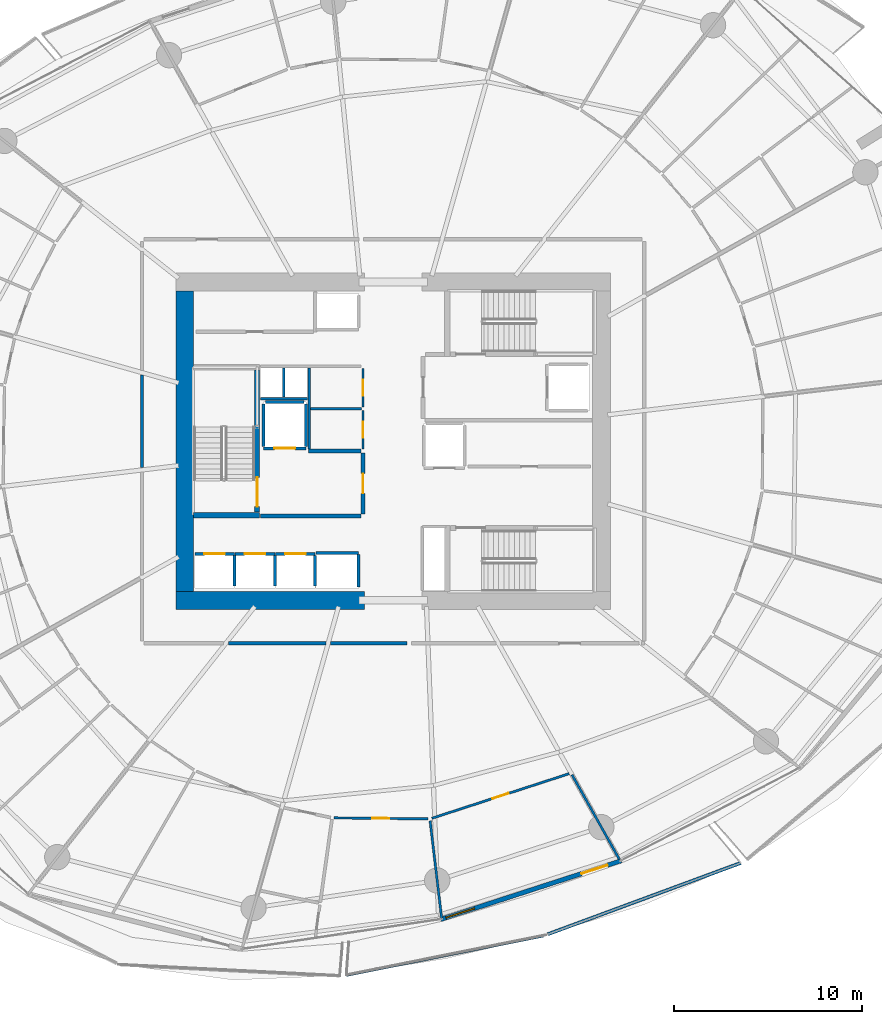
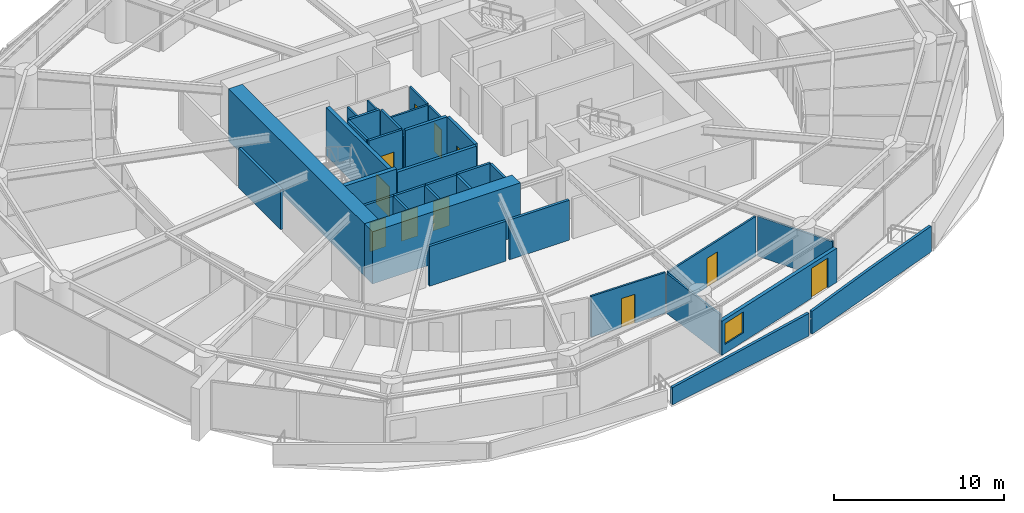
# One storey, part 20 of 31: 35 walls, 11 doors, 1 window, 12 openings.
"""IFC4 building model written with IfcOpenShell, lengths in metres."""

from ifc_helpers import new_model, si_unit, direction, frame, frame_2d, origin, place, context, subcontext, project, spatial, polyline, rectangle, outline, extrude, material, layer, layer_set, type_object, element, fill, save


model = new_model("IFC4")

# Units and contexts
model_context = context("Model", 3, precision=1e-05, world=origin(), true_north=direction((0.0, 1.0)))
body_context = subcontext(model_context, "Body", "Model", "MODEL_VIEW")
ifc_project = project(units=[si_unit("LENGTHUNIT", "METRE"), si_unit("AREAUNIT", "SQUARE_METRE"), si_unit("VOLUMEUNIT", "CUBIC_METRE"), si_unit("PLANEANGLEUNIT", "RADIAN"), si_unit("MASSUNIT", "GRAM", prefix="KILO")], contexts=[model_context])

# Site, building, storey
site_placement = place(None, origin())
site = spatial("IfcSite", under=ifc_project, at=site_placement, CompositionType="ELEMENT")
building_placement = place(site_placement, origin())
building = spatial("IfcBuilding", under=site, at=building_placement, Name="Kazma Halo Residences", CompositionType="ELEMENT")
storey_placement = place(building_placement, frame((0.0, 0.0, 37.64990234375)))
storey = spatial("IfcBuildingStorey", under=building, at=storey_placement, Name="L08", CompositionType="ELEMENT", Elevation=37.64990234375)

# Walls
ifc_material_1 = material(Name="White Concrete C50/60 Balustrade", Category="concrete")
ifc_layer_1 = layer(ifc_material_1, 0.179931640625)
ifc_layer_set_1 = layer_set([ifc_layer_1], Name="White Concrete C50/60 Balustrade")
wall_type_1 = type_object("IfcWallType", Name="WL-BAL-WAVE-180", PredefinedType="PARAPET", material=ifc_layer_set_1)
wall_1_placement = place(storey_placement, frame((45.93798828125, 13.580078125, 0.0), z_axis=(0.0, 0.0, 1.0), x_axis=(0.980527969077, 0.19637948431, 0.0)))
element("IfcWall", 1, at=wall_1_placement, inside=storey, type_object=wall_type_1, Name="L08 white wave balustrade wall SSE.1", PredefinedType="PARAPET", context=body_context, shape_type="SweptSolid", body=[
    extrude(outline(polyline([(0.0, 0.0), (10.696533203125, 0.0), (10.69677734375, 1.632080078125), (5.348388671875, 1.418212890625), (0.0, 1.233154296875), (0.0, 0.0)])), frame((0.0, 0.08984375, 0.0), z_axis=(0.0, -1.0, 0.0), x_axis=(1.0, 0.0, 0.0)), (0.0, 0.0, 1.0), 0.179931640625),
])
wall_2_placement = place(storey_placement, frame((56.656494140625, 15.745849609375, 0.0), z_axis=(0.0, 0.0, 1.0), x_axis=(0.938003942123, 0.346624587358, 0.0)))
element("IfcWall", 2, at=wall_2_placement, inside=storey, type_object=wall_type_1, Name="L08 white wave balustrade wall SSE.2", PredefinedType="PARAPET", context=body_context, shape_type="SweptSolid", body=[
    extrude(outline(polyline([(0.0, 0.0), (10.96435546875, 0.0), (10.96435546875, 1.860107421875), (5.482177734375, 1.798095703125), (0.0, 1.632080078125), (0.0, 0.0)])), frame((0.0, 0.08984375, 0.0), z_axis=(0.0, -1.0, 0.0), x_axis=(1.0, 0.0, 0.0)), (0.0, 0.0, 1.0), 0.179931640625),
])
ifc_material_2 = material(Name="Concrete C80/95", Category="concrete")
ifc_layer_2 = layer(ifc_material_2, 0.949951171875)
ifc_layer_set_2 = layer_set([ifc_layer_2], Name="Concrete C80/95")
wall_type_2 = type_object("IfcWallType", Name="WL-CORE-950", PredefinedType="SHEAR", material=ifc_layer_set_2)
wall_3_placement = place(storey_placement, frame((36.85009765625, 33.52490234375, 0.0), z_axis=(0.0, 0.0, 1.0), x_axis=(1.0, 0.0, 0.0)))
element("IfcWall", 3, at=wall_3_placement, inside=storey, type_object=wall_type_2, Name="L08 central core shear wall SW", PredefinedType="SHEAR", context=body_context, shape_type="SweptSolid", body=[
    extrude(rectangle(XDim=10.0498046875, YDim=0.949951171875, at=frame_2d((5.02490234375, 0.0))), origin(), (0.0, 0.0, 1.0), 3.75),
])
wall_4_placement = place(storey_placement, frame((37.324951171875, 34.0, 0.0), z_axis=(0.0, 0.0, 1.0), x_axis=(0.0, 1.0, 0.0)))
element("IfcWall", 4, at=wall_4_placement, inside=storey, type_object=wall_type_2, Name="L08 central core shear wall W", PredefinedType="SHEAR", context=body_context, shape_type="SweptSolid", body=[
    extrude(rectangle(XDim=16.0, YDim=0.949951171875, at=frame_2d((8.0, 0.0))), origin(), (0.0, 0.0, 1.0), 3.75),
])
ifc_material_3 = material(Name="Concrete C60/75", Category="concrete")
ifc_layer_3 = layer(ifc_material_3, 0.280029296875)
ifc_layer_set_3 = layer_set([ifc_layer_3], Name="Concrete C60/75")
wall_type_3 = type_object("IfcWallType", Name="WL-CORE-ST-280", PredefinedType="SHEAR", material=ifc_layer_set_3)
wall_5_placement = place(storey_placement, frame((37.800048828125, 38.06005859375, 0.0), z_axis=(0.0, 0.0, 1.0), x_axis=(1.0, 0.0, 0.0)))
element("IfcWall", 5, at=wall_5_placement, inside=storey, type_object=wall_type_3, Name="L08 stairwell bearing wall ST01-S", PredefinedType="SHEAR", context=body_context, shape_type="SweptSolid", body=[
    extrude(rectangle(XDim=3.5, YDim=0.280029296875, at=frame_2d((1.75, 0.0))), origin(), (0.0, 0.0, 1.0), 3.75),
])
ifc_material_4 = material(Name="Acoustic Twin-Stud Gypsum")
ifc_layer_4 = layer(ifc_material_4, 0.179931640625)
ifc_layer_set_4 = layer_set([ifc_layer_4], Name="Acoustic Twin-Stud Gypsum")
wall_type_4 = type_object("IfcWallType", Name="WL-DEM-180", PredefinedType="PARTITIONING", material=ifc_layer_set_4)
wall_6_placement = place(storey_placement, frame((35.050048828125, 45.5322265625, 0.0), z_axis=(0.0, 0.0, 1.0), x_axis=(0.0, -1.0, 0.0)))
element("IfcWall", 6, at=wall_6_placement, inside=storey, type_object=wall_type_4, Name="L08 Apartment 1 inner wall 6", PredefinedType="PARTITIONING", context=body_context, shape_type="SweptSolid", body=[
    extrude(rectangle(XDim=4.94482421875, YDim=0.179931640625, at=frame_2d((2.472412109375, 0.0))), origin(), (0.0, 0.0, 1.0), 2.8671875),
])
wall_7_placement = place(storey_placement, frame((39.6455078125, 31.25, 0.0), z_axis=(0.0, 0.0, 1.0), x_axis=(1.0, 0.0, 0.0)))
element("IfcWall", 7, at=wall_7_placement, inside=storey, type_object=wall_type_4, Name="L08 Apartment 2 inner wall 9", PredefinedType="PARTITIONING", context=body_context, shape_type="SweptSolid", body=[
    extrude(rectangle(XDim=5.20263671875, YDim=0.179931640625, at=frame_2d((2.601318359375, 0.0))), origin(), (0.0, 0.0, 1.0), 2.8671875),
])
wall_8_placement = place(storey_placement, frame((45.088134765625, 31.25, 0.0), z_axis=(0.0, 0.0, 1.0), x_axis=(1.0, 0.0, 0.0)))
element("IfcWall", 8, at=wall_8_placement, inside=storey, type_object=wall_type_4, Name="L08 Apartment 2 inner wall 10", PredefinedType="PARTITIONING", context=body_context, shape_type="SweptSolid", body=[
    extrude(rectangle(XDim=4.064208984375, YDim=0.179931640625, at=frame_2d((2.0322265625, 0.0))), origin(), (0.0, 0.0, 1.0), 2.8671875),
])

# Wall, openings, door, window
ifc_material_5 = material(Name="Insulated Pale-Metal Composite Wall")
ifc_layer_5 = layer(ifc_material_5, 0.239990234375)
ifc_layer_set_5 = layer_set([ifc_layer_5], Name="Insulated Pale-Metal Composite Wall")
wall_type_5 = type_object("IfcWallType", Name="WL-EXT-HOST-240", PredefinedType="SOLIDWALL", material=ifc_layer_set_5)
wall_9_placement = place(storey_placement, frame((50.9638671875, 16.54150390625, 0.0), z_axis=(0.0, 0.0, 1.0), x_axis=(0.951054679225, 0.309022648238, 0.0)))
wall_9 = element("IfcWall", 9, at=wall_9_placement, inside=storey, type_object=wall_type_5, Name="L08 exterior terrace-access wall B12", PredefinedType="SOLIDWALL", context=body_context, shape_type="SweptSolid", body=[
    extrude(rectangle(XDim=10.0966796875, YDim=0.239990234375, at=frame_2d((5.04833984375, 0.0))), origin(), (0.0, 0.0, 1.0), 2.4501953125),
])
opening_1_placement = place(wall_9_placement, frame((7.876708984375, 0.0, 0.0)))
opening_1 = element("IfcOpeningElement", 10, at=opening_1_placement, cuts=wall_9, Name="Opening DTR-1600", PredefinedType="OPENING", context=body_context, shape_type="SweptSolid", body=[
    extrude(rectangle(XDim=1.449951171875, YDim=2.14990234375, at=frame_2d((0.72509765625, 1.074951171875))), frame((0.0, 0.1298828125, 0.0), z_axis=(0.0, -1.0, 0.0), x_axis=(1.0, 0.0, 0.0)), (0.0, 0.0, 1.0), 0.260009765625),
])
opening_2_placement = place(wall_9_placement, frame((0.280029296875, 0.0, 0.64990234375)))
opening_2 = element("IfcOpeningElement", 11, at=opening_2_placement, cuts=wall_9, Name="Opening W-1800", PredefinedType="OPENING", context=body_context, shape_type="SweptSolid", body=[
    extrude(rectangle(XDim=1.60009765625, YDim=1.5, at=frame_2d((0.800048828125, 0.75))), frame((0.0, 0.1298828125, 0.0), z_axis=(0.0, -1.0, 0.0), x_axis=(1.0, 0.0, 0.0)), (0.0, 0.0, 1.0), 0.260009765625),
])
ifc_material_6 = material(Name="Aluminium AW-6063 T6 Double-Glazed Terrace Door", Category="aluminium")
door_type_1 = type_object("IfcDoorType", Name="DR-EXT-TERR-1600", OperationType="NOTDEFINED", PredefinedType="DOOR", material=ifc_material_6)
door_1_placement = place(opening_1_placement, origin())
door_1 = element("IfcDoor", 12, at=door_1_placement, inside=storey, type_object=door_type_1, Name="L08 B12 balcony terrace door", OperationType="DOUBLE_DOOR_SLIDING", OverallHeight=2.14990234375, OverallWidth=1.449951171875, PredefinedType="DOOR", context=body_context, shape_type="SweptSolid", body=[
    extrude(rectangle(XDim=1.449951171875, YDim=2.14990234375, at=frame_2d((0.72509765625, 1.074951171875))), frame((0.0, 0.02490234375, 0.0), z_axis=(0.0, -1.0, 0.0), x_axis=(1.0, 0.0, 0.0)), (0.0, 0.0, 1.0), 0.050048828125),
])
fill(opening_1, door_1)
ifc_material_7 = material(Name="Clear Triple-Silver Low-E Glass in Aluminium AW-6063 T6 Frame", Category="aluminium")
window_type = type_object("IfcWindowType", Name="WIN-RES-1800", PartitioningType="DOUBLE_PANEL_VERTICAL", PredefinedType="WINDOW", material=ifc_material_7)
window_placement = place(opening_2_placement, origin())
window = element("IfcWindow", 13, at=window_placement, inside=storey, type_object=window_type, Name="L08 B12 apartment window", OverallHeight=1.5, OverallWidth=1.60009765625, PartitioningType="SINGLE_PANEL", PredefinedType="WINDOW", context=body_context, shape_type="SweptSolid", body=[
    extrude(rectangle(XDim=1.60009765625, YDim=1.5, at=frame_2d((0.800048828125, 0.75))), frame((0.0, 0.030029296875, 0.0), z_axis=(0.0, -1.0, 0.0), x_axis=(1.0, 0.0, 0.0)), (0.0, 0.0, 1.0), 0.06005859375),
])
fill(opening_2, window)

# Wall, opening, door
ifc_material_8 = material(Name="Fire-Rated Blockwork Masonry", Category="masonry")
ifc_layer_6 = layer(ifc_material_8, 0.199951171875)
ifc_layer_set_6 = layer_set([ifc_layer_6], Name="Fire-Rated Blockwork Masonry")
wall_type_6 = type_object("IfcWallType", Name="WL-FLB-200", PredefinedType="PARTITIONING", material=ifc_layer_set_6)
wall_10_placement = place(storey_placement, frame((37.864990234375, 36.0048828125, 0.0), z_axis=(0.0, 0.0, 1.0), x_axis=(1.0, 0.0, 0.0)))
wall_10 = element("IfcWall", 14, at=wall_10_placement, inside=storey, type_object=wall_type_6, Name="L08 lift shaft PL-01 front wall", PredefinedType="PARTITIONING", context=body_context, shape_type="SweptSolid", body=[
    extrude(rectangle(XDim=2.110107421875, YDim=0.159912109375, at=frame_2d((1.05517578125, 0.0))), origin(), (0.0, 0.0, 1.0), 3.5),
])
opening_3_placement = place(wall_10_placement, frame((0.5048828125, 0.0, 0.0)))
opening_3 = element("IfcOpeningElement", 15, at=opening_3_placement, cuts=wall_10, Name="Opening LD-PL-01", PredefinedType="OPENING", context=body_context, shape_type="SweptSolid", body=[
    extrude(rectangle(XDim=1.10009765625, YDim=2.10009765625, at=frame_2d((0.550048828125, 1.050048828125))), frame((0.0, 0.08984375, 0.0), z_axis=(0.0, -1.0, 0.0), x_axis=(1.0, 0.0, 0.0)), (0.0, 0.0, 1.0), 0.179931640625),
])
ifc_material_9 = material(Name="Stainless Steel Fire-Rated", Category="steel")
door_type_2 = type_object("IfcDoorType", Name="DR-LIFT-SLD-1100", OperationType="DOUBLE_DOOR_SLIDING", PredefinedType="DOOR", material=ifc_material_9)
door_2_placement = place(opening_3_placement, origin())
door_2 = element("IfcDoor", 16, at=door_2_placement, inside=storey, type_object=door_type_2, Name="L08 lift PL-01 sliding landing door", OperationType="DOUBLE_DOOR_SLIDING", OverallHeight=2.10009765625, OverallWidth=1.10009765625, PredefinedType="DOOR", context=body_context, shape_type="SweptSolid", body=[
    extrude(rectangle(XDim=1.10009765625, YDim=2.10009765625, at=frame_2d((0.550048828125, 1.050048828125))), frame((0.0, 0.02490234375, 0.0), z_axis=(0.0, -1.0, 0.0), x_axis=(1.0, 0.0, 0.0)), (0.0, 0.0, 1.0), 0.050048828125),
])
fill(opening_3, door_2)

# Wall
wall_11_placement = place(storey_placement, frame((39.97509765625, 34.294921875, 0.0), z_axis=(0.0, 0.0, 1.0), x_axis=(0.0, 1.0, 0.0)))
element("IfcWall", 17, at=wall_11_placement, inside=storey, type_object=wall_type_6, Name="L08 lift shaft PL-01 side wall E", PredefinedType="PARTITIONING", context=body_context, shape_type="SweptSolid", body=[
    extrude(rectangle(XDim=1.610107421875, YDim=0.159912109375, at=frame_2d((0.80517578125, 0.0))), origin(), (0.0, 0.0, 1.0), 3.5),
])

# Wall, opening, door
wall_12_placement = place(storey_placement, frame((40.014892578125, 36.0048828125, 0.0), z_axis=(0.0, 0.0, 1.0), x_axis=(1.0, 0.0, 0.0)))
wall_12 = element("IfcWall", 18, at=wall_12_placement, inside=storey, type_object=wall_type_6, Name="L08 lift shaft PL-02 front wall", PredefinedType="PARTITIONING", context=body_context, shape_type="SweptSolid", body=[
    extrude(rectangle(XDim=2.110107421875, YDim=0.159912109375, at=frame_2d((1.05517578125, 0.0))), origin(), (0.0, 0.0, 1.0), 3.5),
])
opening_4_placement = place(wall_12_placement, frame((0.5048828125, 0.0, 0.0)))
opening_4 = element("IfcOpeningElement", 19, at=opening_4_placement, cuts=wall_12, Name="Opening LD-PL-02", PredefinedType="OPENING", context=body_context, shape_type="SweptSolid", body=[
    extrude(rectangle(XDim=1.10009765625, YDim=2.10009765625, at=frame_2d((0.550048828125, 1.050048828125))), frame((0.0, 0.08984375, 0.0), z_axis=(0.0, -1.0, 0.0), x_axis=(1.0, 0.0, 0.0)), (0.0, 0.0, 1.0), 0.179931640625),
])
door_3_placement = place(opening_4_placement, origin())
door_3 = element("IfcDoor", 20, at=door_3_placement, inside=storey, type_object=door_type_2, Name="L08 lift PL-02 sliding landing door", OperationType="DOUBLE_DOOR_SLIDING", OverallHeight=2.10009765625, OverallWidth=1.10009765625, PredefinedType="DOOR", context=body_context, shape_type="SweptSolid", body=[
    extrude(rectangle(XDim=1.10009765625, YDim=2.10009765625, at=frame_2d((0.550048828125, 1.050048828125))), frame((0.0, 0.02490234375, 0.0), z_axis=(0.0, -1.0, 0.0), x_axis=(1.0, 0.0, 0.0)), (0.0, 0.0, 1.0), 0.050048828125),
])
fill(opening_4, door_3)

# Wall
wall_13_placement = place(storey_placement, frame((42.125, 34.294921875, 0.0), z_axis=(0.0, 0.0, 1.0), x_axis=(0.0, 1.0, 0.0)))
element("IfcWall", 21, at=wall_13_placement, inside=storey, type_object=wall_type_6, Name="L08 lift shaft PL-02 side wall E", PredefinedType="PARTITIONING", context=body_context, shape_type="SweptSolid", body=[
    extrude(rectangle(XDim=1.610107421875, YDim=0.159912109375, at=frame_2d((0.80517578125, 0.0))), origin(), (0.0, 0.0, 1.0), 3.5),
])

# Wall, opening, door
wall_14_placement = place(storey_placement, frame((42.1650390625, 36.0048828125, 0.0), z_axis=(0.0, 0.0, 1.0), x_axis=(1.0, 0.0, 0.0)))
wall_14 = element("IfcWall", 22, at=wall_14_placement, inside=storey, type_object=wall_type_6, Name="L08 lift shaft PL-03 front wall", PredefinedType="PARTITIONING", context=body_context, shape_type="SweptSolid", body=[
    extrude(rectangle(XDim=2.10986328125, YDim=0.159912109375, at=frame_2d((1.054931640625, 0.0))), origin(), (0.0, 0.0, 1.0), 3.5),
])
opening_5_placement = place(wall_14_placement, frame((0.5048828125, 0.0, 0.0)))
opening_5 = element("IfcOpeningElement", 23, at=opening_5_placement, cuts=wall_14, Name="Opening LD-PL-03", PredefinedType="OPENING", context=body_context, shape_type="SweptSolid", body=[
    extrude(rectangle(XDim=1.10009765625, YDim=2.10009765625, at=frame_2d((0.550048828125, 1.050048828125))), frame((0.0, 0.08984375, 0.0), z_axis=(0.0, -1.0, 0.0), x_axis=(1.0, 0.0, 0.0)), (0.0, 0.0, 1.0), 0.179931640625),
])
door_4_placement = place(opening_5_placement, origin())
door_4 = element("IfcDoor", 24, at=door_4_placement, inside=storey, type_object=door_type_2, Name="L08 lift PL-03 sliding landing door", OperationType="DOUBLE_DOOR_SLIDING", OverallHeight=2.10009765625, OverallWidth=1.10009765625, PredefinedType="DOOR", context=body_context, shape_type="SweptSolid", body=[
    extrude(rectangle(XDim=1.10009765625, YDim=2.10009765625, at=frame_2d((0.550048828125, 1.050048828125))), frame((0.0, 0.02490234375, 0.0), z_axis=(0.0, -1.0, 0.0), x_axis=(1.0, 0.0, 0.0)), (0.0, 0.0, 1.0), 0.050048828125),
])
fill(opening_5, door_4)

# Walls
wall_15_placement = place(storey_placement, frame((44.27490234375, 34.294921875, 0.0), z_axis=(0.0, 0.0, 1.0), x_axis=(0.0, 1.0, 0.0)))
element("IfcWall", 25, at=wall_15_placement, inside=storey, type_object=wall_type_6, Name="L08 lift shaft PL-03 side wall E", PredefinedType="PARTITIONING", context=body_context, shape_type="SweptSolid", body=[
    extrude(rectangle(XDim=1.610107421875, YDim=0.159912109375, at=frame_2d((0.80517578125, 0.0))), origin(), (0.0, 0.0, 1.0), 3.5),
])
wall_16_placement = place(storey_placement, frame((44.320068359375, 36.054931640625, 0.0), z_axis=(0.0, 0.0, 1.0), x_axis=(1.0, 0.0, 0.0)))
element("IfcWall", 26, at=wall_16_placement, inside=storey, type_object=wall_type_6, Name="L08 lift shaft PX-02 front wall", PredefinedType="PARTITIONING", context=body_context, shape_type="SweptSolid", body=[
    extrude(rectangle(XDim=2.260009765625, YDim=0.159912109375, at=frame_2d((1.1298828125, 0.0))), origin(), (0.0, 0.0, 1.0), 3.5),
])
wall_17_placement = place(storey_placement, frame((46.580078125, 34.2451171875, 0.0), z_axis=(0.0, 0.0, 1.0), x_axis=(0.0, 1.0, 0.0)))
element("IfcWall", 27, at=wall_17_placement, inside=storey, type_object=wall_type_6, Name="L08 lift shaft PX-02 side wall E", PredefinedType="PARTITIONING", context=body_context, shape_type="SweptSolid", body=[
    extrude(rectangle(XDim=1.7099609375, YDim=0.159912109375, at=frame_2d((0.85498046875, 0.0))), origin(), (0.0, 0.0, 1.0), 3.5),
])

# Wall, opening, door
wall_18_placement = place(storey_placement, frame((43.780029296875, 41.6201171875, 0.0), z_axis=(0.0, 0.0, 1.0), x_axis=(-1.0, 0.0, 0.0)))
wall_18 = element("IfcWall", 28, at=wall_18_placement, inside=storey, type_object=wall_type_6, Name="L08 lift shaft FL-01 front wall", PredefinedType="PARTITIONING", context=body_context, shape_type="SweptSolid", body=[
    extrude(rectangle(XDim=2.260009765625, YDim=0.159912109375, at=frame_2d((1.1298828125, 0.0))), origin(), (0.0, 0.0, 1.0), 3.5),
])
opening_6_placement = place(wall_18_placement, frame((0.580078125, 0.0, 0.0)))
opening_6 = element("IfcOpeningElement", 29, at=opening_6_placement, cuts=wall_18, Name="Opening LD-FL-01", PredefinedType="OPENING", context=body_context, shape_type="SweptSolid", body=[
    extrude(rectangle(XDim=1.10009765625, YDim=2.10009765625, at=frame_2d((0.550048828125, 1.050048828125))), frame((0.0, 0.08984375, 0.0), z_axis=(0.0, -1.0, 0.0), x_axis=(1.0, 0.0, 0.0)), (0.0, 0.0, 1.0), 0.179931640625),
])
door_5_placement = place(opening_6_placement, origin())
door_5 = element("IfcDoor", 30, at=door_5_placement, inside=storey, type_object=door_type_2, Name="L08 lift FL-01 sliding landing door", OperationType="DOUBLE_DOOR_SLIDING", OverallHeight=2.10009765625, OverallWidth=1.10009765625, PredefinedType="DOOR", context=body_context, shape_type="SweptSolid", body=[
    extrude(rectangle(XDim=1.10009765625, YDim=2.10009765625, at=frame_2d((0.550048828125, 1.050048828125))), frame((0.0, 0.02490234375, 0.0), z_axis=(0.0, -1.0, 0.0), x_axis=(1.0, 0.0, 0.0)), (0.0, 0.0, 1.0), 0.050048828125),
])
fill(opening_6, door_5)

# Walls
for number, where, z_axis, x_axis, name in (
    (31, (43.780029296875, 41.719970703125, 0.0), (0.0, 0.0, 1.0), (0.0, 1.0, 0.0), "L08 lift shaft FL-01 side wall E"),
    (32, (41.52001953125, 41.719970703125, 0.0), (0.0, 0.0, 1.0), (0.0, 1.0, 0.0), "L08 lift shaft FL-01 side wall W"),
):
    element("IfcWall", number, at=place(storey_placement, frame(where, z_axis=z_axis, x_axis=x_axis)), inside=storey, type_object=wall_type_6, Name=name, PredefinedType="PARTITIONING", context=body_context, shape_type="SweptSolid", body=[
        extrude(rectangle(XDim=2.260009765625, YDim=0.159912109375, at=frame_2d((1.1298828125, 0.0))), origin(), (0.0, 0.0, 1.0), 3.5),
    ])
wall_19_placement = place(storey_placement, frame((41.6201171875, 44.080078125, 0.0), z_axis=(0.0, 0.0, 1.0), x_axis=(1.0, 0.0, 0.0)))
element("IfcWall", 33, at=wall_19_placement, inside=storey, type_object=wall_type_6, Name="L08 lift shaft FL-01 side wall N", PredefinedType="PARTITIONING", context=body_context, shape_type="SweptSolid", body=[
    extrude(rectangle(XDim=2.059814453125, YDim=0.159912109375, at=frame_2d((1.02978515625, 0.0))), origin(), (0.0, 0.0, 1.0), 3.5),
])
wall_20_placement = place(storey_placement, frame((41.35009765625, 38.02001953125, 0.0), z_axis=(0.0, 0.0, 1.0), x_axis=(1.0, 0.0, 0.0)))
element("IfcWall", 34, at=wall_20_placement, inside=storey, type_object=wall_type_6, Name="L08 west firefighting lobby south smoke wall", PredefinedType="PARTITIONING", context=body_context, shape_type="SweptSolid", body=[
    extrude(rectangle(XDim=5.369873046875, YDim=0.199951171875, at=frame_2d((2.68505859375, 0.0))), origin(), (0.0, 0.0, 1.0), 3.5),
])
wall_21_placement = place(storey_placement, frame((43.919921875, 41.47998046875, 0.0), z_axis=(0.0, 0.0, 1.0), x_axis=(1.0, 0.0, 0.0)))
element("IfcWall", 35, at=wall_21_placement, inside=storey, type_object=wall_type_6, Name="L08 west firefighting lobby north smoke wall", PredefinedType="PARTITIONING", context=body_context, shape_type="SweptSolid", body=[
    extrude(rectangle(XDim=2.800048828125, YDim=0.199951171875, at=frame_2d((1.39990234375, 0.0))), origin(), (0.0, 0.0, 1.0), 3.5),
])

# Wall, opening, door
wall_22_placement = place(storey_placement, frame((46.820068359375, 38.1201171875, 0.0), z_axis=(0.0, 0.0, 1.0), x_axis=(0.0, 1.0, 0.0)))
wall_22 = element("IfcWall", 36, at=wall_22_placement, inside=storey, type_object=wall_type_6, Name="L08 west firefighting lobby smoke wall", PredefinedType="PARTITIONING", context=body_context, shape_type="SweptSolid", body=[
    extrude(rectangle(XDim=3.259765625, YDim=0.199951171875, at=frame_2d((1.6298828125, 0.0))), origin(), (0.0, 0.0, 1.0), 3.5),
])
opening_7_placement = place(wall_22_placement, frame((1.10498046875, 0.0, 0.0)))
opening_7 = element("IfcOpeningElement", 37, at=opening_7_placement, cuts=wall_22, Name="Opening D-FLW", PredefinedType="OPENING", context=body_context, shape_type="SweptSolid", body=[
    extrude(rectangle(XDim=1.050048828125, YDim=2.10009765625, at=frame_2d((0.52490234375, 1.050048828125))), frame((0.0, 0.10986328125, 0.0), z_axis=(0.0, -1.0, 0.0), x_axis=(1.0, 0.0, 0.0)), (0.0, 0.0, 1.0), 0.219970703125),
])
ifc_material_10 = material(Name="Fire-Rated Steel Leaf", Category="steel")
door_type_3 = type_object("IfcDoorType", Name="DR-FD90-1050", OperationType="NOTDEFINED", PredefinedType="DOOR", material=ifc_material_10)
door_6_placement = place(opening_7_placement, origin())
door_6 = element("IfcDoor", 38, at=door_6_placement, inside=storey, type_object=door_type_3, Name="L08 west firefighting lobby smoke door", OperationType="SINGLE_SWING_LEFT", OverallHeight=2.10009765625, OverallWidth=1.050048828125, PredefinedType="DOOR", context=body_context, shape_type="SweptSolid", body=[
    extrude(rectangle(XDim=1.050048828125, YDim=2.10009765625, at=frame_2d((0.52490234375, 1.050048828125))), frame((0.0, 0.02490234375, 0.0), z_axis=(0.0, -1.0, 0.0), x_axis=(1.0, 0.0, 0.0)), (0.0, 0.0, 1.0), 0.050048828125),
])
fill(opening_7, door_6)

# Walls
ifc_material_11 = material(Name="Gypsum Plasterboard Partition")
ifc_layer_7 = layer(ifc_material_11, 0.125)
ifc_layer_set_7 = layer_set([ifc_layer_7], Name="Gypsum Plasterboard Partition")
wall_type_7 = type_object("IfcWallType", Name="WL-PART-125", PredefinedType="PARTITIONING", material=ifc_layer_set_7)
wall_23_placement = place(storey_placement, frame((41.360107421875, 44.260009765625, 0.0), z_axis=(0.0, 0.0, 1.0), x_axis=(1.0, 0.0, 0.0)))
element("IfcWall", 39, at=wall_23_placement, inside=storey, type_object=wall_type_7, Name="L08 core riser south wall", PredefinedType="PARTITIONING", context=body_context, shape_type="SweptSolid", body=[
    extrude(rectangle(XDim=2.5, YDim=0.125, at=frame_2d((1.25, 0.0))), origin(), (0.0, 0.0, 1.0), 2.940185546875),
])
wall_24_placement = place(storey_placement, frame((42.60009765625, 44.35009765625, 0.0), z_axis=(0.0, 0.0, 1.0), x_axis=(0.0, 1.0, 0.0)))
element("IfcWall", 40, at=wall_24_placement, inside=storey, type_object=wall_type_7, Name="L08 core riser divider wall", PredefinedType="PARTITIONING", context=body_context, shape_type="SweptSolid", body=[
    extrude(rectangle(XDim=1.5498046875, YDim=0.125, at=frame_2d((0.77490234375, 0.0))), origin(), (0.0, 0.0, 1.0), 2.940185546875),
])
wall_25_placement = place(storey_placement, frame((43.949951171875, 41.580078125, 0.0), z_axis=(0.0, 0.0, 1.0), x_axis=(0.0, 1.0, 0.0)))
element("IfcWall", 41, at=wall_25_placement, inside=storey, type_object=wall_type_7, Name="L08 core service west wall", PredefinedType="PARTITIONING", context=body_context, shape_type="SweptSolid", body=[
    extrude(rectangle(XDim=4.31982421875, YDim=0.125, at=frame_2d((2.159912109375, 0.0))), origin(), (0.0, 0.0, 1.0), 2.940185546875),
])
wall_26_placement = place(storey_placement, frame((44.030029296875, 43.72998046875, 0.0), z_axis=(0.0, 0.0, 1.0), x_axis=(1.0, 0.0, 0.0)))
element("IfcWall", 42, at=wall_26_placement, inside=storey, type_object=wall_type_7, Name="L08 switch/IDF divider", PredefinedType="PARTITIONING", context=body_context, shape_type="SweptSolid", body=[
    extrude(rectangle(XDim=2.7099609375, YDim=0.125, at=frame_2d((1.35498046875, 0.0))), origin(), (0.0, 0.0, 1.0), 2.940185546875),
])

# Wall, opening, door
wall_27_placement = place(storey_placement, frame((46.820068359375, 41.580078125, 0.0), z_axis=(0.0, 0.0, 1.0), x_axis=(0.0, 1.0, 0.0)))
wall_27 = element("IfcWall", 43, at=wall_27_placement, inside=storey, type_object=wall_type_7, Name="L08 electrical switch room east wall", PredefinedType="PARTITIONING", context=body_context, shape_type="SweptSolid", body=[
    extrude(rectangle(XDim=2.0498046875, YDim=0.125, at=frame_2d((1.02490234375, 0.0))), origin(), (0.0, 0.0, 1.0), 2.940185546875),
])
opening_8_placement = place(wall_27_placement, frame((0.60009765625, 0.0, 0.0)))
opening_8 = element("IfcOpeningElement", 44, at=opening_8_placement, cuts=wall_27, Name="Opening DS-850", PredefinedType="OPENING", context=body_context, shape_type="SweptSolid", body=[
    extrude(rectangle(XDim=0.85009765625, YDim=2.06005859375, at=frame_2d((0.425048828125, 1.030029296875))), frame((0.0, 0.072509765625, 0.0), z_axis=(0.0, -1.0, 0.0), x_axis=(1.0, 0.0, 0.0)), (0.0, 0.0, 1.0), 0.14501953125),
])
ifc_material_12 = material(Name="Painted Steel Access Leaf", Category="steel")
door_type_4 = type_object("IfcDoorType", Name="DR-SVC-850", OperationType="NOTDEFINED", PredefinedType="DOOR", material=ifc_material_12)
door_7_placement = place(opening_8_placement, origin())
door_7 = element("IfcDoor", 45, at=door_7_placement, inside=storey, type_object=door_type_4, Name="L08 electrical switch room door", OperationType="SINGLE_SWING_LEFT", OverallHeight=2.06005859375, OverallWidth=0.85009765625, PredefinedType="DOOR", context=body_context, shape_type="SweptSolid", body=[
    extrude(rectangle(XDim=0.85009765625, YDim=2.06005859375, at=frame_2d((0.425048828125, 1.030029296875))), frame((0.0, 0.02490234375, 0.0), z_axis=(0.0, -1.0, 0.0), x_axis=(1.0, 0.0, 0.0)), (0.0, 0.0, 1.0), 0.050048828125),
])
fill(opening_8, door_7)

wall_28_placement = place(storey_placement, frame((46.820068359375, 43.830078125, 0.0), z_axis=(0.0, 0.0, 1.0), x_axis=(0.0, 1.0, 0.0)))
wall_28 = element("IfcWall", 46, at=wall_28_placement, inside=storey, type_object=wall_type_7, Name="L08 telecom IDF room east wall", PredefinedType="PARTITIONING", context=body_context, shape_type="SweptSolid", body=[
    extrude(rectangle(XDim=2.0498046875, YDim=0.125, at=frame_2d((1.02490234375, 0.0))), origin(), (0.0, 0.0, 1.0), 2.940185546875),
])
opening_9_placement = place(wall_28_placement, frame((0.60009765625, 0.0, 0.0)))
opening_9 = element("IfcOpeningElement", 47, at=opening_9_placement, cuts=wall_28, Name="Opening DS-850", PredefinedType="OPENING", context=body_context, shape_type="SweptSolid", body=[
    extrude(rectangle(XDim=0.85009765625, YDim=2.06005859375, at=frame_2d((0.425048828125, 1.030029296875))), frame((0.0, 0.072509765625, 0.0), z_axis=(0.0, -1.0, 0.0), x_axis=(1.0, 0.0, 0.0)), (0.0, 0.0, 1.0), 0.14501953125),
])
door_8_placement = place(opening_9_placement, origin())
door_8 = element("IfcDoor", 48, at=door_8_placement, inside=storey, type_object=door_type_4, Name="L08 telecom IDF room door", OperationType="SINGLE_SWING_RIGHT", OverallHeight=2.06005859375, OverallWidth=0.85009765625, PredefinedType="DOOR", context=body_context, shape_type="SweptSolid", body=[
    extrude(rectangle(XDim=0.85009765625, YDim=2.06005859375, at=frame_2d((0.425048828125, 1.030029296875))), frame((0.0, 0.02490234375, 0.0), z_axis=(0.0, -1.0, 0.0), x_axis=(1.0, 0.0, 0.0)), (0.0, 0.0, 1.0), 0.050048828125),
])
fill(opening_9, door_8)

wall_29_placement = place(storey_placement, frame((45.267822265625, 21.943603515625, 0.0), z_axis=(0.0, 0.0, 1.0), x_axis=(0.999939426187, -0.011006541512, 0.0)))
wall_29 = element("IfcWall", 49, at=wall_29_placement, inside=storey, type_object=wall_type_7, Name="L08 Apartment 2 Inner Master Bedroom hall wall", PredefinedType="PARTITIONING", context=body_context, shape_type="SweptSolid", body=[
    extrude(rectangle(XDim=5.012939453125, YDim=0.125, at=frame_2d((2.50634765625, 0.0))), origin(), (0.0, 0.0, 1.0), 2.940185546875),
])
opening_10_placement = place(wall_29_placement, frame((2.056396484375, 0.0, 0.0)))
opening_10 = element("IfcOpeningElement", 50, at=opening_10_placement, cuts=wall_29, Name="Opening DI-950", PredefinedType="OPENING", context=body_context, shape_type="SweptSolid", body=[
    extrude(rectangle(XDim=0.89990234375, YDim=2.080078125, at=frame_2d((0.449951171875, 1.0400390625))), frame((0.0, 0.072509765625, 0.0), z_axis=(0.0, -1.0, 0.0), x_axis=(1.0, 0.0, 0.0)), (0.0, 0.0, 1.0), 0.14501953125),
])
ifc_material_13 = material(Name="Timber Veneer Flush Leaf", Category="wood")
door_type_5 = type_object("IfcDoorType", Name="DR-INT-950", OperationType="NOTDEFINED", PredefinedType="DOOR", material=ifc_material_13)
door_9_placement = place(opening_10_placement, origin())
door_9 = element("IfcDoor", 51, at=door_9_placement, inside=storey, type_object=door_type_5, Name="L08 Apartment 2 Inner Master Bedroom door", OperationType="SINGLE_SWING_LEFT", OverallHeight=2.080078125, OverallWidth=0.89990234375, PredefinedType="DOOR", context=body_context, shape_type="SweptSolid", body=[
    extrude(rectangle(XDim=0.89990234375, YDim=2.080078125, at=frame_2d((0.449951171875, 1.0400390625))), frame((0.0, 0.02490234375, 0.0), z_axis=(0.0, -1.0, 0.0), x_axis=(1.0, 0.0, 0.0)), (0.0, 0.0, 1.0), 0.050048828125),
])
fill(opening_10, door_9)

# Walls
wall_30_placement = place(storey_placement, frame((50.392333984375, 21.7880859375, 0.0), z_axis=(0.0, 0.0, 1.0), x_axis=(0.11749238711, -0.993073783246, 0.0)))
element("IfcWall", 52, at=wall_30_placement, inside=storey, type_object=wall_type_7, Name="L08 Apartment 2 radial partition 11", PredefinedType="PARTITIONING", context=body_context, shape_type="SweptSolid", body=[
    extrude(rectangle(XDim=5.24267578125, YDim=0.125, at=frame_2d((2.621337890625, 0.0))), origin(), (0.0, 0.0, 1.0), 2.8671875),
])
wall_31_placement = place(storey_placement, frame((57.94482421875, 24.2421875, 0.0), z_axis=(0.0, 0.0, 1.0), x_axis=(0.488630834306, -0.872490634772, 0.0)))
element("IfcWall", 53, at=wall_31_placement, inside=storey, type_object=wall_type_7, Name="L08 Apartment 2 living radial partition 11", PredefinedType="PARTITIONING", context=body_context, shape_type="SweptSolid", body=[
    extrude(rectangle(XDim=5.142822265625, YDim=0.125, at=frame_2d((2.5712890625, 0.0))), origin(), (0.0, 0.0, 1.0), 2.8671875),
])

# Wall, opening, door
wall_32_placement = place(storey_placement, frame((50.485107421875, 21.92138671875, 0.0), z_axis=(0.0, 0.0, 1.0), x_axis=(0.951055318468, 0.309020680883, 0.0)))
wall_32 = element("IfcWall", 54, at=wall_32_placement, inside=storey, type_object=wall_type_7, Name="L08 Apartment 2 Outer Formal Dining Room gallery wall", PredefinedType="PARTITIONING", context=body_context, shape_type="SweptSolid", body=[
    extrude(rectangle(XDim=7.682373046875, YDim=0.125, at=frame_2d((3.84130859375, 0.0))), origin(), (0.0, 0.0, 1.0), 2.8671875),
])
opening_11_placement = place(wall_32_placement, frame((3.39111328125, 0.0, 0.0)))
opening_11 = element("IfcOpeningElement", 55, at=opening_11_placement, cuts=wall_32, Name="Opening DI-950", PredefinedType="OPENING", context=body_context, shape_type="SweptSolid", body=[
    extrude(rectangle(XDim=0.89990234375, YDim=2.080078125, at=frame_2d((0.449951171875, 1.0400390625))), frame((0.0, 0.072509765625, 0.0), z_axis=(0.0, -1.0, 0.0), x_axis=(1.0, 0.0, 0.0)), (0.0, 0.0, 1.0), 0.14501953125),
])
door_10_placement = place(opening_11_placement, origin())
door_10 = element("IfcDoor", 56, at=door_10_placement, inside=storey, type_object=door_type_5, Name="L08 Apartment 2 Outer Formal Dining Room door", OperationType="SINGLE_SWING_RIGHT", OverallHeight=2.080078125, OverallWidth=0.89990234375, PredefinedType="DOOR", context=body_context, shape_type="SweptSolid", body=[
    extrude(rectangle(XDim=0.89990234375, YDim=2.080078125, at=frame_2d((0.449951171875, 1.0400390625))), frame((0.0, 0.02490234375, 0.0), z_axis=(0.0, -1.0, 0.0), x_axis=(1.0, 0.0, 0.0)), (0.0, 0.0, 1.0), 0.050048828125),
])
fill(opening_11, door_10)

ifc_material_14 = material(Name="Concrete C50/60", Category="concrete")
ifc_layer_8 = layer(ifc_material_14, 0.25)
ifc_layer_set_8 = layer_set([ifc_layer_8], Name="Concrete C50/60")
wall_type_8 = type_object("IfcWallType", Name="WL-SHF-250", PredefinedType="SOLIDWALL", material=ifc_layer_set_8)
wall_33_placement = place(storey_placement, frame((41.179931640625, 38.219970703125, 0.0), z_axis=(0.0, 0.0, 1.0), x_axis=(0.0, 1.0, 0.0)))
wall_33 = element("IfcWall", 57, at=wall_33_placement, inside=storey, type_object=wall_type_8, Name="L08 exit stair ST-01 enclosure wall", PredefinedType="SOLIDWALL", context=body_context, shape_type="SweptSolid", body=[
    extrude(rectangle(XDim=7.56005859375, YDim=0.25, at=frame_2d((3.780029296875, 0.0))), origin(), (0.0, 0.0, 1.0), 3.5),
])
opening_12_placement = place(wall_33_placement, frame((0.300048828125, 0.0, 0.0)))
opening_12 = element("IfcOpeningElement", 58, at=opening_12_placement, cuts=wall_33, Name="Opening D-ST1", PredefinedType="OPENING", context=body_context, shape_type="SweptSolid", body=[
    extrude(rectangle(XDim=1.550048828125, YDim=2.14990234375, at=frame_2d((0.77490234375, 1.074951171875))), frame((0.0, 0.135009765625, 0.0), z_axis=(0.0, -1.0, 0.0), x_axis=(1.0, 0.0, 0.0)), (0.0, 0.0, 1.0), 0.27001953125),
])
ifc_material_15 = material(Name="Fire-Rated Double Steel Leaf", Category="steel")
door_type_6 = type_object("IfcDoorType", Name="DR-FD90-1550", OperationType="NOTDEFINED", PredefinedType="DOOR", material=ifc_material_15)
door_11_placement = place(opening_12_placement, origin())
door_11 = element("IfcDoor", 59, at=door_11_placement, inside=storey, type_object=door_type_6, Name="L08 exit stair ST-01 fire door", OperationType="DOUBLE_DOOR_SINGLE_SWING", OverallHeight=2.14990234375, OverallWidth=1.550048828125, PredefinedType="DOOR", context=body_context, shape_type="SweptSolid", body=[
    extrude(rectangle(XDim=1.550048828125, YDim=2.14990234375, at=frame_2d((0.77490234375, 1.074951171875))), frame((0.0, 0.02490234375, 0.0), z_axis=(0.0, -1.0, 0.0), x_axis=(1.0, 0.0, 0.0)), (0.0, 0.0, 1.0), 0.050048828125),
])
fill(opening_12, door_11)

save(model, "model.ifc")
